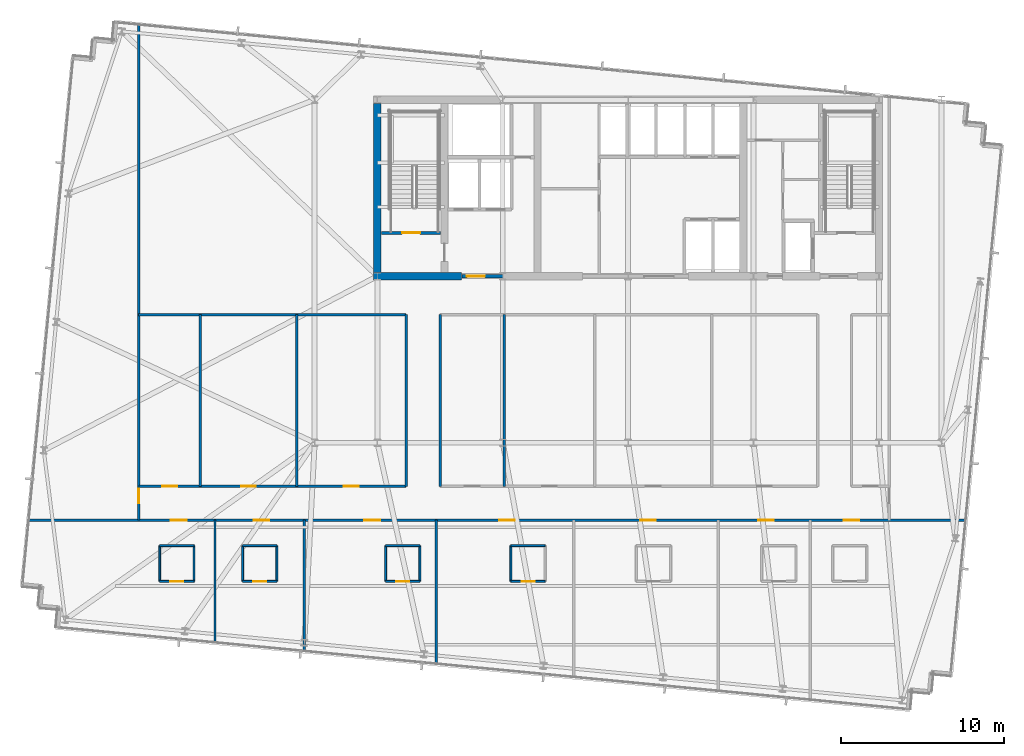
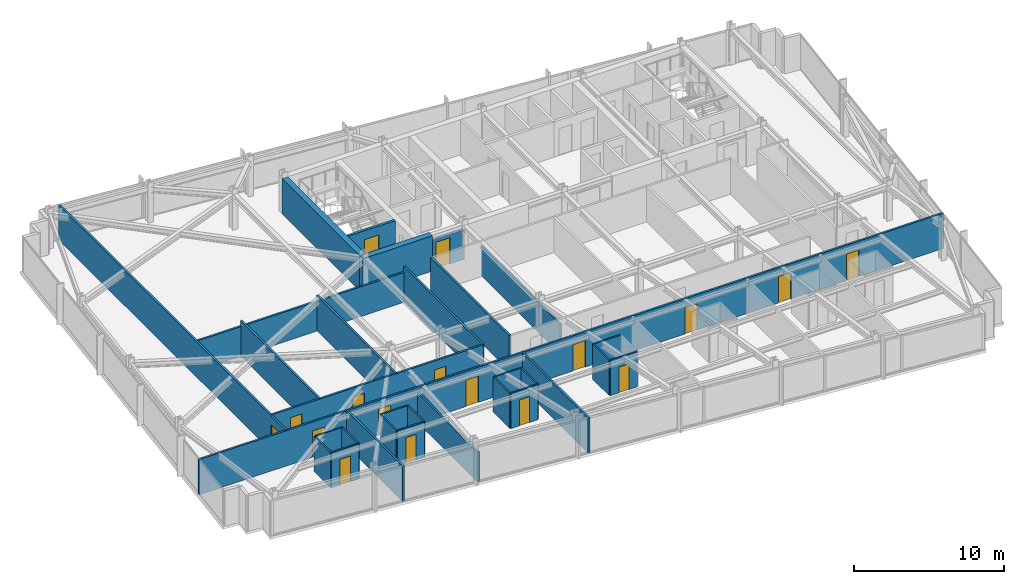
# One storey, part 29 of 37: 31 walls, 17 doors, 17 openings.
"""IFC4 building model written with IfcOpenShell, lengths in metres."""

from ifc_helpers import new_model, si_unit, direction, frame, frame_2d, origin, place, context, subcontext, project, spatial, rectangle, extrude, material, layer, layer_set, type_object, element, fill, save


model = new_model("IFC4")

# Units and contexts
model_context = context("Model", 3, precision=1e-05, world=origin(), true_north=direction((0.0, 1.0)))
body_context = subcontext(model_context, "Body", "Model", "MODEL_VIEW")
ifc_project = project(units=[si_unit("LENGTHUNIT", "METRE"), si_unit("AREAUNIT", "SQUARE_METRE"), si_unit("VOLUMEUNIT", "CUBIC_METRE"), si_unit("PLANEANGLEUNIT", "RADIAN"), si_unit("MASSUNIT", "GRAM", prefix="KILO")], contexts=[model_context])

# Site, building, storey
site_placement = place(None, origin())
site = spatial("IfcSite", under=ifc_project, at=site_placement, CompositionType="ELEMENT")
building_placement = place(site_placement, origin())
building = spatial("IfcBuilding", under=site, at=building_placement, Name="Yelkora Congress Tower", CompositionType="ELEMENT")
storey_placement = place(building_placement, frame((0.0, 0.0, 188.60009765625)))
storey = spatial("IfcBuildingStorey", under=building, at=storey_placement, Name="L52", CompositionType="ELEMENT", Elevation=188.60009765625)

# Walls
ifc_material_1 = material(Name="Concrete C60/75", Category="concrete")
ifc_layer_1 = layer(ifc_material_1, 0.449951171875)
ifc_layer_set_1 = layer_set([ifc_layer_1], Name="Concrete C60/75")
wall_type_1 = type_object("IfcWallType", Name="WALL-CORE-INT-450", PredefinedType="SHEAR", material=ifc_layer_set_1)
wall_1_placement = place(storey_placement, frame((22.81494140625, 35.39990234375, 0.0), z_axis=(0.0, 0.0, 1.0), x_axis=(1.0, 0.0, 0.0)))
element("IfcWall", 1, at=wall_1_placement, inside=storey, type_object=wall_type_1, Name="L52 Rear Core South-West Shear Wall", PredefinedType="SHEAR", context=body_context, shape_type="SweptSolid", body=[
    extrude(rectangle(XDim=5.385009765625, YDim=0.449951171875, at=frame_2d((2.6923828125, 0.0))), origin(), (0.0, 0.0, 1.0), 2.8798828125),
])
wall_2_placement = place(storey_placement, frame((23.0400390625, 35.625, 0.0), z_axis=(0.0, 0.0, 1.0), x_axis=(0.0, 1.0, 0.0)))
element("IfcWall", 2, at=wall_2_placement, inside=storey, type_object=wall_type_1, Name="L52 Rear Core Cross Shear Wall W", PredefinedType="SHEAR", context=body_context, shape_type="SweptSolid", body=[
    extrude(rectangle(XDim=10.35009765625, YDim=0.449951171875, at=frame_2d((5.175048828125, 0.0))), origin(), (0.0, 0.0, 1.0), 2.8798828125),
])
ifc_material_2 = material(Name="Moisture-resistant gypsum partition", Category="gypsum")
ifc_layer_2 = layer(ifc_material_2, 0.1201171875)
ifc_layer_set_2 = layer_set([ifc_layer_2], Name="Moisture-resistant gypsum partition")
wall_type_2 = type_object("IfcWallType", Name="WALL-INT-120-NR", PredefinedType="PARTITIONING", material=ifc_layer_set_2)
wall_3_placement = place(storey_placement, frame((9.708984375, 18.89990234375, 0.0), z_axis=(0.0, 0.0, 1.0), x_axis=(1.0, 0.0, 0.0)))
element("IfcWall", 3, at=wall_3_placement, inside=storey, type_object=wall_type_2, Name="L52 Partition Wall 27", PredefinedType="PARTITIONING", context=body_context, shape_type="SweptSolid", body=[
    extrude(rectangle(XDim=2.10009765625, YDim=0.1201171875, at=frame_2d((1.050048828125, 0.0))), origin(), (0.0, 0.0, 1.0), 2.8798828125),
])
for number, where, z_axis, x_axis, name in (
    (4, (9.708984375, 16.699951171875, 0.0), (0.0, 0.0, 1.0), (0.0, 1.0, 0.0), "L52 Partition Wall 28"),
    (5, (11.80908203125, 16.699951171875, 0.0), (0.0, 0.0, 1.0), (0.0, 1.0, 0.0), "L52 Partition Wall 29"),
):
    element("IfcWall", number, at=place(storey_placement, frame(where, z_axis=z_axis, x_axis=x_axis)), inside=storey, type_object=wall_type_2, Name=name, PredefinedType="PARTITIONING", context=body_context, shape_type="SweptSolid", body=[
        extrude(rectangle(XDim=2.199951171875, YDim=0.1201171875, at=frame_2d((1.10009765625, 0.0))), origin(), (0.0, 0.0, 1.0), 2.8798828125),
    ])

# Wall, opening, door
wall_4_placement = place(storey_placement, frame((9.708984375, 16.699951171875, 0.0), z_axis=(0.0, 0.0, 1.0), x_axis=(1.0, 0.0, 0.0)))
wall_4 = element("IfcWall", 6, at=wall_4_placement, inside=storey, type_object=wall_type_2, Name="L52 Partition Wall 30", PredefinedType="PARTITIONING", context=body_context, shape_type="SweptSolid", body=[
    extrude(rectangle(XDim=2.10009765625, YDim=0.1201171875, at=frame_2d((1.050048828125, 0.0))), origin(), (0.0, 0.0, 1.0), 2.8798828125),
])
opening_1_placement = place(wall_4_placement, frame((0.64990234375, 0.0, 0.0)))
opening_1 = element("IfcOpeningElement", 7, at=opening_1_placement, cuts=wall_4, Name="Opening DR-080B", PredefinedType="OPENING", context=body_context, shape_type="SweptSolid", body=[
    extrude(rectangle(XDim=0.800048828125, YDim=2.10009765625, at=frame_2d((0.39990234375, 1.050048828125))), frame((0.0, 0.070068359375, 0.0), z_axis=(0.0, -1.0, 0.0), x_axis=(1.0, 0.0, 0.0)), (0.0, 0.0, 1.0), 0.14013671875),
])
ifc_material_3 = material(Name="Moisture-sealed en-suite timber door", Category="wood")
door_type_1 = type_object("IfcDoorType", Name="DOOR-BATH-800", OperationType="NOTDEFINED", PredefinedType="DOOR", material=ifc_material_3)
door_1_placement = place(opening_1_placement, origin())
door_1 = element("IfcDoor", 8, at=door_1_placement, inside=storey, type_object=door_type_1, Name="L52 En-suite Door 1", OperationType="SINGLE_SWING_LEFT", OverallHeight=2.10009765625, OverallWidth=0.800048828125, PredefinedType="DOOR", context=body_context, shape_type="SweptSolid", body=[
    extrude(rectangle(XDim=0.800048828125, YDim=2.10009765625, at=frame_2d((0.39990234375, 1.050048828125))), frame((0.0, 0.02490234375, 0.0), z_axis=(0.0, -1.0, 0.0), x_axis=(1.0, 0.0, 0.0)), (0.0, 0.0, 1.0), 0.050048828125),
])
fill(opening_1, door_1)

# Walls
wall_5_placement = place(storey_placement, frame((14.781005859375, 18.89990234375, 0.0), z_axis=(0.0, 0.0, 1.0), x_axis=(1.0, 0.0, 0.0)))
element("IfcWall", 9, at=wall_5_placement, inside=storey, type_object=wall_type_2, Name="L52 Partition Wall 31", PredefinedType="PARTITIONING", context=body_context, shape_type="SweptSolid", body=[
    extrude(rectangle(XDim=2.10009765625, YDim=0.1201171875, at=frame_2d((1.050048828125, 0.0))), origin(), (0.0, 0.0, 1.0), 2.8798828125),
])
for number, where, z_axis, x_axis, name in (
    (10, (14.781005859375, 16.699951171875, 0.0), (0.0, 0.0, 1.0), (0.0, 1.0, 0.0), "L52 Partition Wall 32"),
    (11, (16.881103515625, 16.699951171875, 0.0), (0.0, 0.0, 1.0), (0.0, 1.0, 0.0), "L52 Partition Wall 33"),
):
    element("IfcWall", number, at=place(storey_placement, frame(where, z_axis=z_axis, x_axis=x_axis)), inside=storey, type_object=wall_type_2, Name=name, PredefinedType="PARTITIONING", context=body_context, shape_type="SweptSolid", body=[
        extrude(rectangle(XDim=2.199951171875, YDim=0.1201171875, at=frame_2d((1.10009765625, 0.0))), origin(), (0.0, 0.0, 1.0), 2.8798828125),
    ])

# Wall, opening, door
wall_6_placement = place(storey_placement, frame((14.781005859375, 16.699951171875, 0.0), z_axis=(0.0, 0.0, 1.0), x_axis=(1.0, 0.0, 0.0)))
wall_6 = element("IfcWall", 12, at=wall_6_placement, inside=storey, type_object=wall_type_2, Name="L52 Partition Wall 34", PredefinedType="PARTITIONING", context=body_context, shape_type="SweptSolid", body=[
    extrude(rectangle(XDim=2.10009765625, YDim=0.1201171875, at=frame_2d((1.050048828125, 0.0))), origin(), (0.0, 0.0, 1.0), 2.8798828125),
])
opening_2_placement = place(wall_6_placement, frame((0.64990234375, 0.0, 0.0)))
opening_2 = element("IfcOpeningElement", 13, at=opening_2_placement, cuts=wall_6, Name="Opening DR-080B", PredefinedType="OPENING", context=body_context, shape_type="SweptSolid", body=[
    extrude(rectangle(XDim=0.800048828125, YDim=2.10009765625, at=frame_2d((0.39990234375, 1.050048828125))), frame((0.0, 0.070068359375, 0.0), z_axis=(0.0, -1.0, 0.0), x_axis=(1.0, 0.0, 0.0)), (0.0, 0.0, 1.0), 0.14013671875),
])
door_2_placement = place(opening_2_placement, origin())
door_2 = element("IfcDoor", 14, at=door_2_placement, inside=storey, type_object=door_type_1, Name="L52 En-suite Door 2", OperationType="SINGLE_SWING_RIGHT", OverallHeight=2.10009765625, OverallWidth=0.800048828125, PredefinedType="DOOR", context=body_context, shape_type="SweptSolid", body=[
    extrude(rectangle(XDim=0.800048828125, YDim=2.10009765625, at=frame_2d((0.39990234375, 1.050048828125))), frame((0.0, 0.02490234375, 0.0), z_axis=(0.0, -1.0, 0.0), x_axis=(1.0, 0.0, 0.0)), (0.0, 0.0, 1.0), 0.050048828125),
])
fill(opening_2, door_2)

# Walls
wall_7_placement = place(storey_placement, frame((23.5400390625, 18.89990234375, 0.0), z_axis=(0.0, 0.0, 1.0), x_axis=(1.0, 0.0, 0.0)))
element("IfcWall", 15, at=wall_7_placement, inside=storey, type_object=wall_type_2, Name="L52 Partition Wall 36", PredefinedType="PARTITIONING", context=body_context, shape_type="SweptSolid", body=[
    extrude(rectangle(XDim=2.099853515625, YDim=0.1201171875, at=frame_2d((1.0498046875, 0.0))), origin(), (0.0, 0.0, 1.0), 2.8798828125),
])
for number, where, z_axis, x_axis, name in (
    (16, (23.5400390625, 16.699951171875, 0.0), (0.0, 0.0, 1.0), (0.0, 1.0, 0.0), "L52 Partition Wall 37"),
    (17, (25.639892578125, 16.699951171875, 0.0), (0.0, 0.0, 1.0), (0.0, 1.0, 0.0), "L52 Partition Wall 38"),
):
    element("IfcWall", number, at=place(storey_placement, frame(where, z_axis=z_axis, x_axis=x_axis)), inside=storey, type_object=wall_type_2, Name=name, PredefinedType="PARTITIONING", context=body_context, shape_type="SweptSolid", body=[
        extrude(rectangle(XDim=2.199951171875, YDim=0.1201171875, at=frame_2d((1.10009765625, 0.0))), origin(), (0.0, 0.0, 1.0), 2.8798828125),
    ])

# Wall, opening, door
wall_8_placement = place(storey_placement, frame((23.5400390625, 16.699951171875, 0.0), z_axis=(0.0, 0.0, 1.0), x_axis=(1.0, 0.0, 0.0)))
wall_8 = element("IfcWall", 18, at=wall_8_placement, inside=storey, type_object=wall_type_2, Name="L52 Partition Wall 39", PredefinedType="PARTITIONING", context=body_context, shape_type="SweptSolid", body=[
    extrude(rectangle(XDim=2.099853515625, YDim=0.1201171875, at=frame_2d((1.0498046875, 0.0))), origin(), (0.0, 0.0, 1.0), 2.8798828125),
])
opening_3_placement = place(wall_8_placement, frame((0.64990234375, 0.0, 0.0)))
opening_3 = element("IfcOpeningElement", 19, at=opening_3_placement, cuts=wall_8, Name="Opening DR-080B", PredefinedType="OPENING", context=body_context, shape_type="SweptSolid", body=[
    extrude(rectangle(XDim=0.800048828125, YDim=2.10009765625, at=frame_2d((0.39990234375, 1.050048828125))), frame((0.0, 0.070068359375, 0.0), z_axis=(0.0, -1.0, 0.0), x_axis=(1.0, 0.0, 0.0)), (0.0, 0.0, 1.0), 0.14013671875),
])
door_3_placement = place(opening_3_placement, origin())
door_3 = element("IfcDoor", 20, at=door_3_placement, inside=storey, type_object=door_type_1, Name="L52 En-suite Door 3", OperationType="SINGLE_SWING_LEFT", OverallHeight=2.10009765625, OverallWidth=0.800048828125, PredefinedType="DOOR", context=body_context, shape_type="SweptSolid", body=[
    extrude(rectangle(XDim=0.800048828125, YDim=2.10009765625, at=frame_2d((0.39990234375, 1.050048828125))), frame((0.0, 0.02490234375, 0.0), z_axis=(0.0, -1.0, 0.0), x_axis=(1.0, 0.0, 0.0)), (0.0, 0.0, 1.0), 0.050048828125),
])
fill(opening_3, door_3)

# Walls
wall_9_placement = place(storey_placement, frame((31.219970703125, 18.89990234375, 0.0), z_axis=(0.0, 0.0, 1.0), x_axis=(1.0, 0.0, 0.0)))
element("IfcWall", 21, at=wall_9_placement, inside=storey, type_object=wall_type_2, Name="L52 Partition Wall 41", PredefinedType="PARTITIONING", context=body_context, shape_type="SweptSolid", body=[
    extrude(rectangle(XDim=2.10009765625, YDim=0.1201171875, at=frame_2d((1.050048828125, 0.0))), origin(), (0.0, 0.0, 1.0), 2.8798828125),
])
wall_10_placement = place(storey_placement, frame((31.219970703125, 16.699951171875, 0.0), z_axis=(0.0, 0.0, 1.0), x_axis=(0.0, 1.0, 0.0)))
element("IfcWall", 22, at=wall_10_placement, inside=storey, type_object=wall_type_2, Name="L52 Partition Wall 42", PredefinedType="PARTITIONING", context=body_context, shape_type="SweptSolid", body=[
    extrude(rectangle(XDim=2.199951171875, YDim=0.1201171875, at=frame_2d((1.10009765625, 0.0))), origin(), (0.0, 0.0, 1.0), 2.8798828125),
])

# Wall, opening, door
wall_11_placement = place(storey_placement, frame((31.219970703125, 16.699951171875, 0.0), z_axis=(0.0, 0.0, 1.0), x_axis=(1.0, 0.0, 0.0)))
wall_11 = element("IfcWall", 23, at=wall_11_placement, inside=storey, type_object=wall_type_2, Name="L52 Partition Wall 44", PredefinedType="PARTITIONING", context=body_context, shape_type="SweptSolid", body=[
    extrude(rectangle(XDim=2.10009765625, YDim=0.1201171875, at=frame_2d((1.050048828125, 0.0))), origin(), (0.0, 0.0, 1.0), 2.8798828125),
])
opening_4_placement = place(wall_11_placement, frame((0.64990234375, 0.0, 0.0)))
opening_4 = element("IfcOpeningElement", 24, at=opening_4_placement, cuts=wall_11, Name="Opening DR-080B", PredefinedType="OPENING", context=body_context, shape_type="SweptSolid", body=[
    extrude(rectangle(XDim=0.800048828125, YDim=2.10009765625, at=frame_2d((0.39990234375, 1.050048828125))), frame((0.0, 0.070068359375, 0.0), z_axis=(0.0, -1.0, 0.0), x_axis=(1.0, 0.0, 0.0)), (0.0, 0.0, 1.0), 0.14013671875),
])
door_4_placement = place(opening_4_placement, origin())
door_4 = element("IfcDoor", 25, at=door_4_placement, inside=storey, type_object=door_type_1, Name="L52 En-suite Door 4", OperationType="SINGLE_SWING_RIGHT", OverallHeight=2.10009765625, OverallWidth=0.800048828125, PredefinedType="DOOR", context=body_context, shape_type="SweptSolid", body=[
    extrude(rectangle(XDim=0.800048828125, YDim=2.10009765625, at=frame_2d((0.39990234375, 1.050048828125))), frame((0.0, 0.02490234375, 0.0), z_axis=(0.0, -1.0, 0.0), x_axis=(1.0, 0.0, 0.0)), (0.0, 0.0, 1.0), 0.050048828125),
])
fill(opening_4, door_4)

ifc_material_4 = material(Name="Acoustic metal-stud gypsum partition", Category="gypsum")
ifc_layer_3 = layer(ifc_material_4, 0.14990234375)
ifc_layer_set_3 = layer_set([ifc_layer_3], Name="Acoustic metal-stud gypsum partition")
wall_type_3 = type_object("IfcWallType", Name="WALL-INT-150-NR", PredefinedType="PARTITIONING", material=ifc_layer_set_3)
wall_12_placement = place(storey_placement, frame((8.423095703125, 20.449951171875, 0.0), z_axis=(0.0, 0.0, 1.0), x_axis=(0.0, 1.0, 0.0)))
wall_12 = element("IfcWall", 26, at=wall_12_placement, inside=storey, type_object=wall_type_3, Name="L52 Partition Wall 62", PredefinedType="PARTITIONING", context=body_context, shape_type="SweptSolid", body=[
    extrude(rectangle(XDim=30.413818359375, YDim=0.14990234375, at=frame_2d((15.20703125, 0.0))), origin(), (0.0, 0.0, 1.0), 2.8798828125),
])
opening_5_placement = place(wall_12_placement, frame((1.030029296875, 0.0, 0.0)))
opening_5 = element("IfcOpeningElement", 27, at=opening_5_placement, cuts=wall_12, Name="Opening DR-090N", PredefinedType="OPENING", context=body_context, shape_type="SweptSolid", body=[
    extrude(rectangle(XDim=0.89990234375, YDim=2.14990234375, at=frame_2d((0.449951171875, 1.074951171875))), frame((0.0, 0.0849609375, 0.0), z_axis=(0.0, -1.0, 0.0), x_axis=(1.0, 0.0, 0.0)), (0.0, 0.0, 1.0), 0.169921875),
])
ifc_material_5 = material(Name="Moisture-resistant laminate door leaf", Category="wood")
door_type_2 = type_object("IfcDoorType", Name="DOOR-INT-900", OperationType="NOTDEFINED", PredefinedType="DOOR", material=ifc_material_5)
door_5_placement = place(opening_5_placement, origin())
door_5 = element("IfcDoor", 28, at=door_5_placement, inside=storey, type_object=door_type_2, Name="L52 W Wing Door", OperationType="SINGLE_SWING_LEFT", OverallHeight=2.14990234375, OverallWidth=0.89990234375, PredefinedType="DOOR", context=body_context, shape_type="SweptSolid", body=[
    extrude(rectangle(XDim=0.89990234375, YDim=2.14990234375, at=frame_2d((0.449951171875, 1.074951171875))), frame((0.0, 0.02490234375, 0.0), z_axis=(0.0, -1.0, 0.0), x_axis=(1.0, 0.0, 0.0)), (0.0, 0.0, 1.0), 0.050048828125),
])
fill(opening_5, door_5)

# Walls
for number, where, z_axis, x_axis, name in (
    (29, (24.800048828125, 22.530029296875, 0.0), (0.0, 0.0, 1.0), (0.0, 1.0, 0.0), "L52 Partition Wall 64"),
    (30, (26.8798828125, 22.530029296875, 0.0), (0.0, 0.0, 1.0), (0.0, 1.0, 0.0), "L52 Partition Wall 65"),
):
    element("IfcWall", number, at=place(storey_placement, frame(where, z_axis=z_axis, x_axis=x_axis)), inside=storey, type_object=wall_type_3, Name=name, PredefinedType="PARTITIONING", context=body_context, shape_type="SweptSolid", body=[
        extrude(rectangle(XDim=10.52001953125, YDim=0.14990234375, at=frame_2d((5.260009765625, 0.0))), origin(), (0.0, 0.0, 1.0), 2.8798828125),
    ])
wall_13_placement = place(storey_placement, frame((8.423095703125, 33.050048828125, 0.0), z_axis=(0.0, 0.0, 1.0), x_axis=(1.0, 0.0, 0.0)))
element("IfcWall", 31, at=wall_13_placement, inside=storey, type_object=wall_type_3, Name="L52 Partition Wall 68", PredefinedType="PARTITIONING", context=body_context, shape_type="SweptSolid", body=[
    extrude(rectangle(XDim=16.376953125, YDim=0.14990234375, at=frame_2d((8.1884765625, 0.0))), origin(), (0.0, 0.0, 1.0), 2.4248046875),
])
for number, where, z_axis, x_axis, name in (
    (32, (12.202880859375, 22.530029296875, 0.0), (0.0, 0.0, 1.0), (0.0, 1.0, 0.0), "L52 Partition Wall 71"),
    (33, (18.087890625, 22.530029296875, 0.0), (0.0, 0.0, 1.0), (0.0, 1.0, 0.0), "L52 Partition Wall 72"),
):
    element("IfcWall", number, at=place(storey_placement, frame(where, z_axis=z_axis, x_axis=x_axis)), inside=storey, type_object=wall_type_3, Name=name, PredefinedType="PARTITIONING", context=body_context, shape_type="SweptSolid", body=[
        extrude(rectangle(XDim=10.52001953125, YDim=0.14990234375, at=frame_2d((5.260009765625, 0.0))), origin(), (0.0, 0.0, 1.0), 2.8798828125),
    ])

# Wall, openings, doors
wall_14_placement = place(storey_placement, frame((8.443115234375, 22.530029296875, 0.0), z_axis=(0.0, 0.0, 1.0), x_axis=(1.0, 0.0, 0.0)))
wall_14 = element("IfcWall", 34, at=wall_14_placement, inside=storey, type_object=wall_type_3, Name="L52 Partition Wall 73", PredefinedType="PARTITIONING", context=body_context, shape_type="SweptSolid", body=[
    extrude(rectangle(XDim=16.346923828125, YDim=0.14990234375, at=frame_2d((8.17333984375, 0.0))), origin(), (0.0, 0.0, 1.0), 2.8798828125),
])
opening_6_placement = place(wall_14_placement, frame((1.429931640625, 0.0, 0.0)))
opening_6 = element("IfcOpeningElement", 35, at=opening_6_placement, cuts=wall_14, Name="Opening DR-090N", PredefinedType="OPENING", context=body_context, shape_type="SweptSolid", body=[
    extrude(rectangle(XDim=0.89990234375, YDim=2.14990234375, at=frame_2d((0.449951171875, 1.074951171875))), frame((0.0, 0.0849609375, 0.0), z_axis=(0.0, -1.0, 0.0), x_axis=(1.0, 0.0, 0.0)), (0.0, 0.0, 1.0), 0.169921875),
])
opening_7_placement = place(wall_14_placement, frame((6.25244140625, 0.0, 0.0)))
opening_7 = element("IfcOpeningElement", 36, at=opening_7_placement, cuts=wall_14, Name="Opening DR-090N", PredefinedType="OPENING", context=body_context, shape_type="SweptSolid", body=[
    extrude(rectangle(XDim=0.89990234375, YDim=2.14990234375, at=frame_2d((0.449951171875, 1.074951171875))), frame((0.0, 0.0849609375, 0.0), z_axis=(0.0, -1.0, 0.0), x_axis=(1.0, 0.0, 0.0)), (0.0, 0.0, 1.0), 0.169921875),
])
opening_8_placement = place(wall_14_placement, frame((12.5458984375, 0.0, 0.0)))
opening_8 = element("IfcOpeningElement", 37, at=opening_8_placement, cuts=wall_14, Name="Opening DR-090N", PredefinedType="OPENING", context=body_context, shape_type="SweptSolid", body=[
    extrude(rectangle(XDim=0.89990234375, YDim=2.14990234375, at=frame_2d((0.449951171875, 1.074951171875))), frame((0.0, 0.0849609375, 0.0), z_axis=(0.0, -1.0, 0.0), x_axis=(1.0, 0.0, 0.0)), (0.0, 0.0, 1.0), 0.169921875),
])
door_6_placement = place(opening_6_placement, origin())
door_6 = element("IfcDoor", 38, at=door_6_placement, inside=storey, type_object=door_type_2, Name="L52 Housekeeping & Linen Room Door", OperationType="SINGLE_SWING_LEFT", OverallHeight=2.14990234375, OverallWidth=0.89990234375, PredefinedType="DOOR", context=body_context, shape_type="SweptSolid", body=[
    extrude(rectangle(XDim=0.89990234375, YDim=2.14990234375, at=frame_2d((0.449951171875, 1.074951171875))), frame((0.0, 0.02490234375, 0.0), z_axis=(0.0, -1.0, 0.0), x_axis=(1.0, 0.0, 0.0)), (0.0, 0.0, 1.0), 0.050048828125),
])
fill(opening_6, door_6)
door_7_placement = place(opening_7_placement, origin())
door_7 = element("IfcDoor", 39, at=door_7_placement, inside=storey, type_object=door_type_2, Name="L52 Executive Study Office Door", OperationType="SINGLE_SWING_RIGHT", OverallHeight=2.14990234375, OverallWidth=0.89990234375, PredefinedType="DOOR", context=body_context, shape_type="SweptSolid", body=[
    extrude(rectangle(XDim=0.89990234375, YDim=2.14990234375, at=frame_2d((0.449951171875, 1.074951171875))), frame((0.0, 0.02490234375, 0.0), z_axis=(0.0, -1.0, 0.0), x_axis=(1.0, 0.0, 0.0)), (0.0, 0.0, 1.0), 0.050048828125),
])
fill(opening_7, door_7)
door_8_placement = place(opening_8_placement, origin())
door_8 = element("IfcDoor", 40, at=door_8_placement, inside=storey, type_object=door_type_2, Name="L52 Delegate Reading Lounge Door", OperationType="SINGLE_SWING_LEFT", OverallHeight=2.14990234375, OverallWidth=0.89990234375, PredefinedType="DOOR", context=body_context, shape_type="SweptSolid", body=[
    extrude(rectangle(XDim=0.89990234375, YDim=2.14990234375, at=frame_2d((0.449951171875, 1.074951171875))), frame((0.0, 0.02490234375, 0.0), z_axis=(0.0, -1.0, 0.0), x_axis=(1.0, 0.0, 0.0)), (0.0, 0.0, 1.0), 0.050048828125),
])
fill(opening_8, door_8)

# Walls
wall_15_placement = place(storey_placement, frame((30.81689453125, 22.530029296875, 0.0), z_axis=(0.0, 0.0, 1.0), x_axis=(0.0, 1.0, 0.0)))
element("IfcWall", 41, at=wall_15_placement, inside=storey, type_object=wall_type_3, Name="L52 Partition Wall 74", PredefinedType="PARTITIONING", context=body_context, shape_type="SweptSolid", body=[
    extrude(rectangle(XDim=10.52001953125, YDim=0.14990234375, at=frame_2d((5.260009765625, 0.0))), origin(), (0.0, 0.0, 1.0), 2.4248046875),
])
ifc_material_6 = material(Name="Twin-stud fire-rated gypsum partition", Category="gypsum")
ifc_layer_4 = layer(ifc_material_6, 0.14990234375)
ifc_layer_set_4 = layer_set([ifc_layer_4], Name="Twin-stud fire-rated gypsum partition")
wall_type_4 = type_object("IfcWallType", Name="WALL-INT-150-R60", PredefinedType="PARTITIONING", material=ifc_layer_set_4)
wall_16_placement = place(storey_placement, frame((13.094970703125, 12.901123046875, 0.0), z_axis=(0.0, 0.0, 1.0), x_axis=(0.0, 1.0, 0.0)))
element("IfcWall", 42, at=wall_16_placement, inside=storey, type_object=wall_type_4, Name="L52 Partition Wall 35", PredefinedType="PARTITIONING", context=body_context, shape_type="SweptSolid", body=[
    extrude(rectangle(XDim=7.56884765625, YDim=0.14990234375, at=frame_2d((3.784423828125, 0.0))), origin(), (0.0, 0.0, 1.0), 2.8798828125),
])
wall_17_placement = place(storey_placement, frame((18.56591796875, 12.374267578125, 0.0), z_axis=(0.0, 0.0, 1.0), x_axis=(0.0, 1.0, 0.0)))
element("IfcWall", 43, at=wall_17_placement, inside=storey, type_object=wall_type_4, Name="L52 Partition Wall 40", PredefinedType="PARTITIONING", context=body_context, shape_type="SweptSolid", body=[
    extrude(rectangle(XDim=8.095703125, YDim=0.14990234375, at=frame_2d((4.0478515625, 0.0))), origin(), (0.0, 0.0, 1.0), 2.4248046875),
])
wall_18_placement = place(storey_placement, frame((26.655029296875, 11.595458984375, 0.0), z_axis=(0.0, 0.0, 1.0), x_axis=(0.0, 1.0, 0.0)))
element("IfcWall", 44, at=wall_18_placement, inside=storey, type_object=wall_type_4, Name="L52 Partition Wall 45", PredefinedType="PARTITIONING", context=body_context, shape_type="SweptSolid", body=[
    extrude(rectangle(XDim=8.87451171875, YDim=0.14990234375, at=frame_2d((4.437255859375, 0.0))), origin(), (0.0, 0.0, 1.0), 2.8798828125),
])

# Wall, openings, doors
wall_19_placement = place(storey_placement, frame((1.62255859375, 20.449951171875, 0.0), z_axis=(0.0, 0.0, 1.0), x_axis=(1.0, 0.0, 0.0)))
wall_19 = element("IfcWall", 45, at=wall_19_placement, inside=storey, type_object=wall_type_4, Name="L52 South Spine Wall", PredefinedType="PARTITIONING", context=body_context, shape_type="SweptSolid", body=[
    extrude(rectangle(XDim=57.5048828125, YDim=0.14990234375, at=frame_2d((28.75244140625, 0.0))), origin(), (0.0, 0.0, 1.0), 2.8798828125),
])
opening_9_placement = place(wall_19_placement, frame((8.7763671875, 0.0, 0.0)))
opening_9 = element("IfcOpeningElement", 46, at=opening_9_placement, cuts=wall_19, Name="Opening DR-095F6", PredefinedType="OPENING", context=body_context, shape_type="SweptSolid", body=[
    extrude(rectangle(XDim=0.949951171875, YDim=2.14990234375, at=frame_2d((0.47509765625, 1.074951171875))), frame((0.0, 0.0849609375, 0.0), z_axis=(0.0, -1.0, 0.0), x_axis=(1.0, 0.0, 0.0)), (0.0, 0.0, 1.0), 0.169921875),
])
opening_10_placement = place(wall_19_placement, frame((13.847900390625, 0.0, 0.0)))
opening_10 = element("IfcOpeningElement", 47, at=opening_10_placement, cuts=wall_19, Name="Opening DR-095F6", PredefinedType="OPENING", context=body_context, shape_type="SweptSolid", body=[
    extrude(rectangle(XDim=0.949951171875, YDim=2.14990234375, at=frame_2d((0.47509765625, 1.074951171875))), frame((0.0, 0.0849609375, 0.0), z_axis=(0.0, -1.0, 0.0), x_axis=(1.0, 0.0, 0.0)), (0.0, 0.0, 1.0), 0.169921875),
])
opening_11_placement = place(wall_19_placement, frame((20.6279296875, 0.0, 0.0)))
opening_11 = element("IfcOpeningElement", 48, at=opening_11_placement, cuts=wall_19, Name="Opening DR-095F6", PredefinedType="OPENING", context=body_context, shape_type="SweptSolid", body=[
    extrude(rectangle(XDim=0.949951171875, YDim=2.14990234375, at=frame_2d((0.47509765625, 1.074951171875))), frame((0.0, 0.0849609375, 0.0), z_axis=(0.0, -1.0, 0.0), x_axis=(1.0, 0.0, 0.0)), (0.0, 0.0, 1.0), 0.169921875),
])
opening_12_placement = place(wall_19_placement, frame((28.8798828125, 0.0, 0.0)))
opening_12 = element("IfcOpeningElement", 49, at=opening_12_placement, cuts=wall_19, Name="Opening DR-095F6", PredefinedType="OPENING", context=body_context, shape_type="SweptSolid", body=[
    extrude(rectangle(XDim=0.949951171875, YDim=2.14990234375, at=frame_2d((0.47509765625, 1.074951171875))), frame((0.0, 0.0849609375, 0.0), z_axis=(0.0, -1.0, 0.0), x_axis=(1.0, 0.0, 0.0)), (0.0, 0.0, 1.0), 0.169921875),
])
opening_13_placement = place(wall_19_placement, frame((37.50537109375, 0.0, 0.0)))
opening_13 = element("IfcOpeningElement", 50, at=opening_13_placement, cuts=wall_19, Name="Opening DR-095F6", PredefinedType="OPENING", context=body_context, shape_type="SweptSolid", body=[
    extrude(rectangle(XDim=0.949951171875, YDim=2.14990234375, at=frame_2d((0.47509765625, 1.074951171875))), frame((0.0, 0.0849609375, 0.0), z_axis=(0.0, -1.0, 0.0), x_axis=(1.0, 0.0, 0.0)), (0.0, 0.0, 1.0), 0.169921875),
])
opening_14_placement = place(wall_19_placement, frame((44.746826171875, 0.0, 0.0)))
opening_14 = element("IfcOpeningElement", 51, at=opening_14_placement, cuts=wall_19, Name="Opening DR-095F6", PredefinedType="OPENING", context=body_context, shape_type="SweptSolid", body=[
    extrude(rectangle(XDim=0.949951171875, YDim=2.14990234375, at=frame_2d((0.47509765625, 1.074951171875))), frame((0.0, 0.0849609375, 0.0), z_axis=(0.0, -1.0, 0.0), x_axis=(1.0, 0.0, 0.0)), (0.0, 0.0, 1.0), 0.169921875),
])
opening_15_placement = place(wall_19_placement, frame((49.993896484375, 0.0, 0.0)))
opening_15 = element("IfcOpeningElement", 52, at=opening_15_placement, cuts=wall_19, Name="Opening DR-095F6", PredefinedType="OPENING", context=body_context, shape_type="SweptSolid", body=[
    extrude(rectangle(XDim=0.949951171875, YDim=2.14990234375, at=frame_2d((0.47509765625, 1.074951171875))), frame((0.0, 0.0849609375, 0.0), z_axis=(0.0, -1.0, 0.0), x_axis=(1.0, 0.0, 0.0)), (0.0, 0.0, 1.0), 0.169921875),
])
ifc_material_7 = material(Name="Acoustic oak-veneer fire door leaf", Category="wood")
door_type_3 = type_object("IfcDoorType", Name="DOOR-FD60-950", OperationType="NOTDEFINED", PredefinedType="DOOR", material=ifc_material_7)
door_9_placement = place(opening_9_placement, origin())
door_9 = element("IfcDoor", 53, at=door_9_placement, inside=storey, type_object=door_type_3, Name="L52 Diplomatic Suite 01 Entry Door", OperationType="SINGLE_SWING_RIGHT", OverallHeight=2.14990234375, OverallWidth=0.949951171875, PredefinedType="DOOR", context=body_context, shape_type="SweptSolid", body=[
    extrude(rectangle(XDim=0.949951171875, YDim=2.14990234375, at=frame_2d((0.47509765625, 1.074951171875))), frame((0.0, 0.02490234375, 0.0), z_axis=(0.0, -1.0, 0.0), x_axis=(1.0, 0.0, 0.0)), (0.0, 0.0, 1.0), 0.050048828125),
])
fill(opening_9, door_9)
door_10_placement = place(opening_10_placement, origin())
door_10 = element("IfcDoor", 54, at=door_10_placement, inside=storey, type_object=door_type_3, Name="L52 Hotel Guest Room 02 Entry Door", OperationType="SINGLE_SWING_LEFT", OverallHeight=2.14990234375, OverallWidth=0.949951171875, PredefinedType="DOOR", context=body_context, shape_type="SweptSolid", body=[
    extrude(rectangle(XDim=0.949951171875, YDim=2.14990234375, at=frame_2d((0.47509765625, 1.074951171875))), frame((0.0, 0.02490234375, 0.0), z_axis=(0.0, -1.0, 0.0), x_axis=(1.0, 0.0, 0.0)), (0.0, 0.0, 1.0), 0.050048828125),
])
fill(opening_10, door_10)
door_11_placement = place(opening_11_placement, origin())
door_11 = element("IfcDoor", 55, at=door_11_placement, inside=storey, type_object=door_type_3, Name="L52 Hotel Guest Room 03 Entry Door", OperationType="SINGLE_SWING_RIGHT", OverallHeight=2.14990234375, OverallWidth=0.949951171875, PredefinedType="DOOR", context=body_context, shape_type="SweptSolid", body=[
    extrude(rectangle(XDim=0.949951171875, YDim=2.14990234375, at=frame_2d((0.47509765625, 1.074951171875))), frame((0.0, 0.02490234375, 0.0), z_axis=(0.0, -1.0, 0.0), x_axis=(1.0, 0.0, 0.0)), (0.0, 0.0, 1.0), 0.050048828125),
])
fill(opening_11, door_11)
door_12_placement = place(opening_12_placement, origin())
door_12 = element("IfcDoor", 56, at=door_12_placement, inside=storey, type_object=door_type_3, Name="L52 Diplomatic Suite 04 Entry Door", OperationType="SINGLE_SWING_LEFT", OverallHeight=2.14990234375, OverallWidth=0.949951171875, PredefinedType="DOOR", context=body_context, shape_type="SweptSolid", body=[
    extrude(rectangle(XDim=0.949951171875, YDim=2.14990234375, at=frame_2d((0.47509765625, 1.074951171875))), frame((0.0, 0.02490234375, 0.0), z_axis=(0.0, -1.0, 0.0), x_axis=(1.0, 0.0, 0.0)), (0.0, 0.0, 1.0), 0.050048828125),
])
fill(opening_12, door_12)
door_13_placement = place(opening_13_placement, origin())
door_13 = element("IfcDoor", 57, at=door_13_placement, inside=storey, type_object=door_type_3, Name="L52 Diplomatic Suite 05 Entry Door", OperationType="SINGLE_SWING_RIGHT", OverallHeight=2.14990234375, OverallWidth=0.949951171875, PredefinedType="DOOR", context=body_context, shape_type="SweptSolid", body=[
    extrude(rectangle(XDim=0.949951171875, YDim=2.14990234375, at=frame_2d((0.47509765625, 1.074951171875))), frame((0.0, 0.02490234375, 0.0), z_axis=(0.0, -1.0, 0.0), x_axis=(1.0, 0.0, 0.0)), (0.0, 0.0, 1.0), 0.050048828125),
])
fill(opening_13, door_13)
door_14_placement = place(opening_14_placement, origin())
door_14 = element("IfcDoor", 58, at=door_14_placement, inside=storey, type_object=door_type_3, Name="L52 Hotel Guest Room 06 Entry Door", OperationType="SINGLE_SWING_LEFT", OverallHeight=2.14990234375, OverallWidth=0.949951171875, PredefinedType="DOOR", context=body_context, shape_type="SweptSolid", body=[
    extrude(rectangle(XDim=0.949951171875, YDim=2.14990234375, at=frame_2d((0.47509765625, 1.074951171875))), frame((0.0, 0.02490234375, 0.0), z_axis=(0.0, -1.0, 0.0), x_axis=(1.0, 0.0, 0.0)), (0.0, 0.0, 1.0), 0.050048828125),
])
fill(opening_14, door_14)
door_15_placement = place(opening_15_placement, origin())
door_15 = element("IfcDoor", 59, at=door_15_placement, inside=storey, type_object=door_type_3, Name="L52 Diplomatic Suite 07 Entry Door", OperationType="SINGLE_SWING_RIGHT", OverallHeight=2.14990234375, OverallWidth=0.949951171875, PredefinedType="DOOR", context=body_context, shape_type="SweptSolid", body=[
    extrude(rectangle(XDim=0.949951171875, YDim=2.14990234375, at=frame_2d((0.47509765625, 1.074951171875))), frame((0.0, 0.02490234375, 0.0), z_axis=(0.0, -1.0, 0.0), x_axis=(1.0, 0.0, 0.0)), (0.0, 0.0, 1.0), 0.050048828125),
])
fill(opening_15, door_15)

# Wall, opening, door
ifc_material_8 = material(Name="Autoclaved aerated concrete blockwork", Category="masonry")
ifc_layer_5 = layer(ifc_material_8, 0.199951171875)
ifc_layer_set_5 = layer_set([ifc_layer_5], Name="Autoclaved aerated concrete blockwork")
wall_type_5 = type_object("IfcWallType", Name="WALL-INT-200-R120", PredefinedType="PARTITIONING", material=ifc_layer_set_5)
wall_20_placement = place(storey_placement, frame((23.300048828125, 38.050048828125, 0.0), z_axis=(0.0, 0.0, 1.0), x_axis=(1.0, 0.0, 0.0)))
wall_20 = element("IfcWall", 60, at=wall_20_placement, inside=storey, type_object=wall_type_5, Name="L52 Stair ST-01 Enclosure Wall", PredefinedType="PARTITIONING", context=body_context, shape_type="SweptSolid", body=[
    extrude(rectangle(XDim=3.619873046875, YDim=0.199951171875, at=frame_2d((1.81005859375, 0.0))), origin(), (0.0, 0.0, 1.0), 2.8798828125),
])
opening_16_placement = place(wall_20_placement, frame((1.260009765625, 0.0, 0.0)))
opening_16 = element("IfcOpeningElement", 61, at=opening_16_placement, cuts=wall_20, Name="Opening DR-110F9", PredefinedType="OPENING", context=body_context, shape_type="SweptSolid", body=[
    extrude(rectangle(XDim=1.10009765625, YDim=2.14990234375, at=frame_2d((0.550048828125, 1.074951171875))), frame((0.0, 0.10986328125, 0.0), z_axis=(0.0, -1.0, 0.0), x_axis=(1.0, 0.0, 0.0)), (0.0, 0.0, 1.0), 0.219970703125),
])
ifc_material_9 = material(Name="Galvanised steel fire door leaf", Category="steel")
door_type_4 = type_object("IfcDoorType", Name="DOOR-FD90-1100", OperationType="NOTDEFINED", PredefinedType="DOOR", material=ifc_material_9)
door_16_placement = place(opening_16_placement, origin())
door_16 = element("IfcDoor", 62, at=door_16_placement, inside=storey, type_object=door_type_4, Name="L52 Stair ST-01 Entry Door", OperationType="SINGLE_SWING_LEFT", OverallHeight=2.14990234375, OverallWidth=1.10009765625, PredefinedType="DOOR", context=body_context, shape_type="SweptSolid", body=[
    extrude(rectangle(XDim=1.10009765625, YDim=2.14990234375, at=frame_2d((0.550048828125, 1.074951171875))), frame((0.0, 0.02490234375, 0.0), z_axis=(0.0, -1.0, 0.0), x_axis=(1.0, 0.0, 0.0)), (0.0, 0.0, 1.0), 0.050048828125),
])
fill(opening_16, door_16)

wall_21_placement = place(storey_placement, frame((28.219970703125, 35.39990234375, 0.0), z_axis=(0.0, 0.0, 1.0), x_axis=(1.0, 0.0, 0.0)))
wall_21 = element("IfcWall", 63, at=wall_21_placement, inside=storey, type_object=wall_type_5, Name="L52 Firefighting Lobby South Wall", PredefinedType="PARTITIONING", context=body_context, shape_type="SweptSolid", body=[
    extrude(rectangle(XDim=2.5, YDim=0.199951171875, at=frame_2d((1.25, 0.0))), origin(), (0.0, 0.0, 1.0), 2.4248046875),
])
opening_17_placement = place(wall_21_placement, frame((0.300048828125, 0.0, 0.0)))
opening_17 = element("IfcOpeningElement", 64, at=opening_17_placement, cuts=wall_21, Name="Opening DR-110F9", PredefinedType="OPENING", context=body_context, shape_type="SweptSolid", body=[
    extrude(rectangle(XDim=1.10009765625, YDim=2.14990234375, at=frame_2d((0.550048828125, 1.074951171875))), frame((0.0, 0.10986328125, 0.0), z_axis=(0.0, -1.0, 0.0), x_axis=(1.0, 0.0, 0.0)), (0.0, 0.0, 1.0), 0.219970703125),
])
door_17_placement = place(opening_17_placement, origin())
door_17 = element("IfcDoor", 65, at=door_17_placement, inside=storey, type_object=door_type_4, Name="L52 Firefighting Lobby Corridor Door", OperationType="SINGLE_SWING_RIGHT", OverallHeight=2.14990234375, OverallWidth=1.10009765625, PredefinedType="DOOR", context=body_context, shape_type="SweptSolid", body=[
    extrude(rectangle(XDim=1.10009765625, YDim=2.14990234375, at=frame_2d((0.550048828125, 1.074951171875))), frame((0.0, 0.02490234375, 0.0), z_axis=(0.0, -1.0, 0.0), x_axis=(1.0, 0.0, 0.0)), (0.0, 0.0, 1.0), 0.050048828125),
])
fill(opening_17, door_17)

save(model, "model.ifc")
